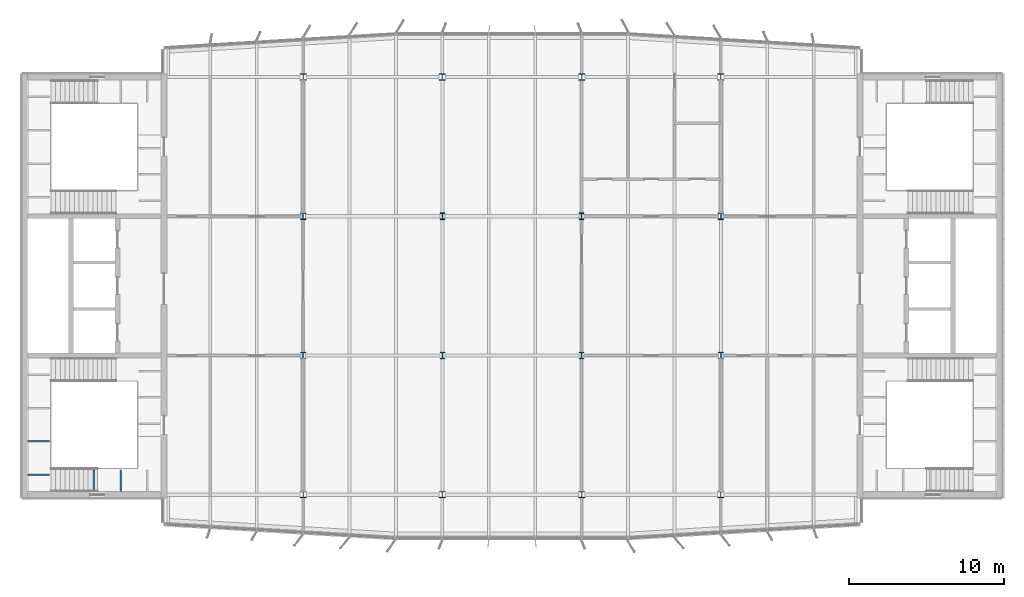
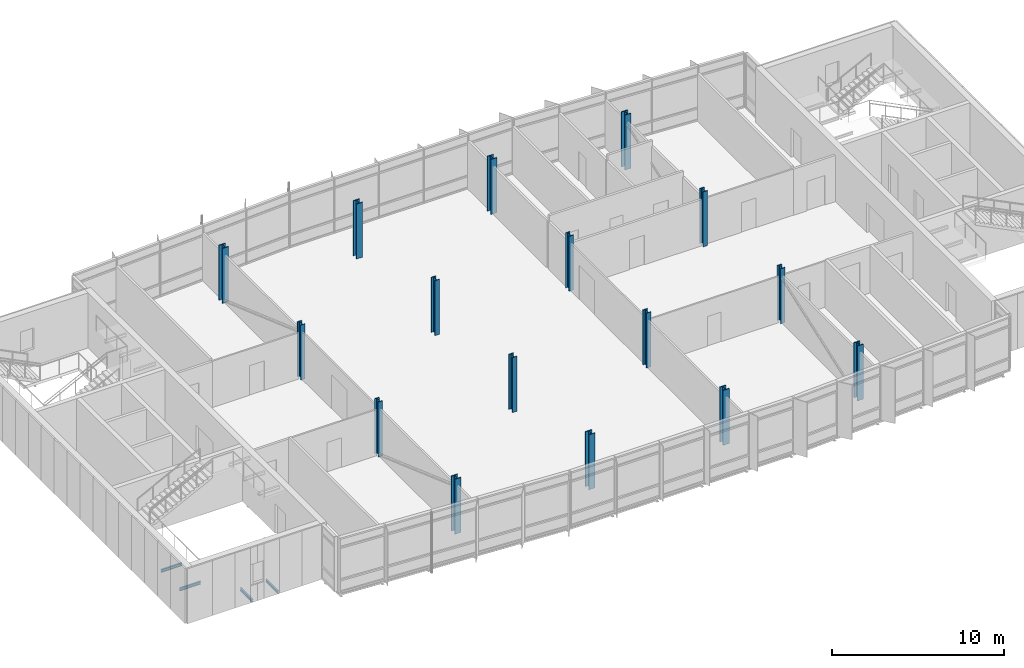
# One storey, part 1 of 18: 16 columns, 4 beams.
"""IFC4 building model written with IfcOpenShell, lengths in metres."""

from ifc_helpers import new_model, si_unit, direction, frame, origin, origin_2d, place, context, subcontext, project, spatial, i_section, extrude, material, material_profile, profile_set, type_object, element, save


model = new_model("IFC4")

# Units and contexts
model_context = context("Model", 3, precision=1e-05, world=origin(), true_north=direction((0.0, 1.0)))
body_context = subcontext(model_context, "Body", "Model", "MODEL_VIEW")
ifc_project = project(units=[si_unit("LENGTHUNIT", "METRE"), si_unit("AREAUNIT", "SQUARE_METRE"), si_unit("VOLUMEUNIT", "CUBIC_METRE"), si_unit("PLANEANGLEUNIT", "RADIAN"), si_unit("MASSUNIT", "GRAM", prefix="KILO")], contexts=[model_context])

# Site, building, storey
site_placement = place(None, origin())
site = spatial("IfcSite", under=ifc_project, at=site_placement, CompositionType="ELEMENT")
building_placement = place(site_placement, origin())
building = spatial("IfcBuilding", under=site, at=building_placement, Name="Azimuth Sports and Learning Centre", CompositionType="ELEMENT")
storey_placement = place(building_placement, frame((0.0, 0.0, 59.699951171875)))
storey = spatial("IfcBuildingStorey", under=building, at=storey_placement, Name="L13", CompositionType="ELEMENT", Elevation=59.699951171875)

# Columns
ifc_material_1 = material(Name="Steel S460", Category="steel")
ifc_material_profile_1 = material_profile(ifc_material_1, i_section(OverallWidth=0.412109375, OverallDepth=0.43505859375, WebThickness=0.035888671875, FlangeThickness=0.057373046875, FilletRadius=0.014892578125, at=origin_2d()), Name="HD 400x463")
ifc_profile_set_1 = profile_set([ifc_material_profile_1], Name="Steel S460")
column_type_1 = type_object("IfcColumnType", Name="Column HD 400x463", PredefinedType="COLUMN", material=ifc_profile_set_1)
for number, where, z_axis, x_axis, name in (
    (1, (72.0, 90.0, 0.0), (0.0, 0.0, 1.0), (1.0, 0.0, 0.0), "Hall column 9L L13"),
    (2, (81.0, 90.0, 0.0), (0.0, 0.0, 1.0), (1.0, 0.0, 0.0), "Hall column 10L L13"),
    (3, (90.0, 90.0, 0.0), (0.0, 0.0, 1.0), (1.0, 0.0, 0.0), "Hall column 11L L13"),
    (4, (99.0, 90.0, 0.0), (0.0, 0.0, 1.0), (1.0, 0.0, 0.0), "Hall column 12L L13"),
    (5, (72.0, 117.0, 0.0), (0.0, 0.0, 1.0), (1.0, 0.0, 0.0), "Hall column 9P L13"),
    (6, (81.0, 117.0, 0.0), (0.0, 0.0, 1.0), (1.0, 0.0, 0.0), "Hall column 10P L13"),
    (7, (90.0, 117.0, 0.0), (0.0, 0.0, 1.0), (1.0, 0.0, 0.0), "Hall column 11P L13"),
    (8, (99.0, 117.0, 0.0), (0.0, 0.0, 1.0), (1.0, 0.0, 0.0), "Hall column 12P L13"),
):
    element("IfcColumn", number, at=place(storey_placement, frame(where, z_axis=z_axis, x_axis=x_axis)), inside=storey, type_object=column_type_1, Name=name, PredefinedType="COLUMN", context=body_context, shape_type="SweptSolid", body=[
        extrude(i_section(OverallWidth=0.412109375, OverallDepth=0.43505859375, WebThickness=0.035888671875, FlangeThickness=0.057373046875, FilletRadius=0.014892578125, at=origin_2d()), origin(), (0.0, 0.0, 1.0), 3.900146484375),
    ])
ifc_material_2 = material(Name="Steel S355", Category="steel")
ifc_material_profile_2 = material_profile(ifc_material_2, i_section(OverallWidth=0.306884765625, OverallDepth=0.431884765625, WebThickness=0.02099609375, FlangeThickness=0.0400390625, FilletRadius=0.027099609375, at=origin_2d()), Name="HEM 400")
ifc_profile_set_2 = profile_set([ifc_material_profile_2], Name="Steel S355")
column_type_2 = type_object("IfcColumnType", Name="Column HEM 400", PredefinedType="COLUMN", material=ifc_profile_set_2)
for number, where, z_axis, x_axis, name in (
    (9, (72.0, 99.0, 0.0), (0.0, 0.0, 1.0), (1.0, 0.0, 0.0), "Tower column 9M L13"),
    (10, (81.0, 99.0, 0.0), (0.0, 0.0, 1.0), (1.0, 0.0, 0.0), "Tower column 10M L13"),
    (11, (90.0, 99.0, 0.0), (0.0, 0.0, 1.0), (1.0, 0.0, 0.0), "Tower column 11M L13"),
    (12, (99.0, 99.0, 0.0), (0.0, 0.0, 1.0), (1.0, 0.0, 0.0), "Tower column 12M L13"),
    (13, (72.0, 108.0, 0.0), (0.0, 0.0, 1.0), (1.0, 0.0, 0.0), "Tower column 9N L13"),
    (14, (81.0, 108.0, 0.0), (0.0, 0.0, 1.0), (1.0, 0.0, 0.0), "Tower column 10N L13"),
    (15, (90.0, 108.0, 0.0), (0.0, 0.0, 1.0), (1.0, 0.0, 0.0), "Tower column 11N L13"),
    (16, (99.0, 108.0, 0.0), (0.0, 0.0, 1.0), (1.0, 0.0, 0.0), "Tower column 12N L13"),
):
    element("IfcColumn", number, at=place(storey_placement, frame(where, z_axis=z_axis, x_axis=x_axis)), inside=storey, type_object=column_type_2, Name=name, PredefinedType="COLUMN", context=body_context, shape_type="SweptSolid", body=[
        extrude(i_section(OverallWidth=0.306884765625, OverallDepth=0.431884765625, WebThickness=0.02099609375, FlangeThickness=0.0400390625, FilletRadius=0.027099609375, at=origin_2d()), origin(), (0.0, 0.0, 1.0), 3.900146484375),
    ])

# Beams
ifc_material_3 = material(Name="Steel S355", Category="steel")
ifc_material_profile_3 = material_profile(ifc_material_3, i_section(OverallWidth=0.10009765625, OverallDepth=0.199951171875, WebThickness=0.005615234375, FlangeThickness=0.008544921875, FilletRadius=0.011962890625, at=origin_2d()), Name="IPE 200")
ifc_profile_set_3 = profile_set([ifc_material_profile_3], Name="Steel S355")
beam_type = type_object("IfcBeamType", Name="Beam IPE 200", PredefinedType="BEAM", material=ifc_profile_set_3)
for number, where, z_axis, x_axis, name in (
    (17, (58.473388671875, 90.199951171875, -0.300048828125), (0.0, 1.0, 0.0), (-1.0, 0.0, 0.0), "Landing bracket W1 L13 129"),
    (18, (60.199951171875, 90.199951171875, -0.300048828125), (0.0, 1.0, 0.0), (-1.0, 0.0, 0.0), "Landing bracket W1 L13 130"),
    (19, (54.199951171875, 91.288818359375, 1.35009765625), (1.0, 0.0, 0.0), (0.0, 1.0, 0.0), "Landing bracket W1 L13 132"),
    (20, (54.199951171875, 93.4462890625, 1.35009765625), (1.0, 0.0, 0.0), (0.0, 1.0, 0.0), "Landing bracket W1 L13 133"),
):
    element("IfcBeam", number, at=place(storey_placement, frame(where, z_axis=z_axis, x_axis=x_axis)), inside=storey, type_object=beam_type, Name=name, PredefinedType="BEAM", context=body_context, shape_type="SweptSolid", body=[
        extrude(i_section(OverallWidth=0.10009765625, OverallDepth=0.199951171875, WebThickness=0.005615234375, FlangeThickness=0.008544921875, FilletRadius=0.011962890625, at=origin_2d()), origin(), (0.0, 0.0, 1.0), 1.41015625),
    ])

save(model, "model.ifc")
